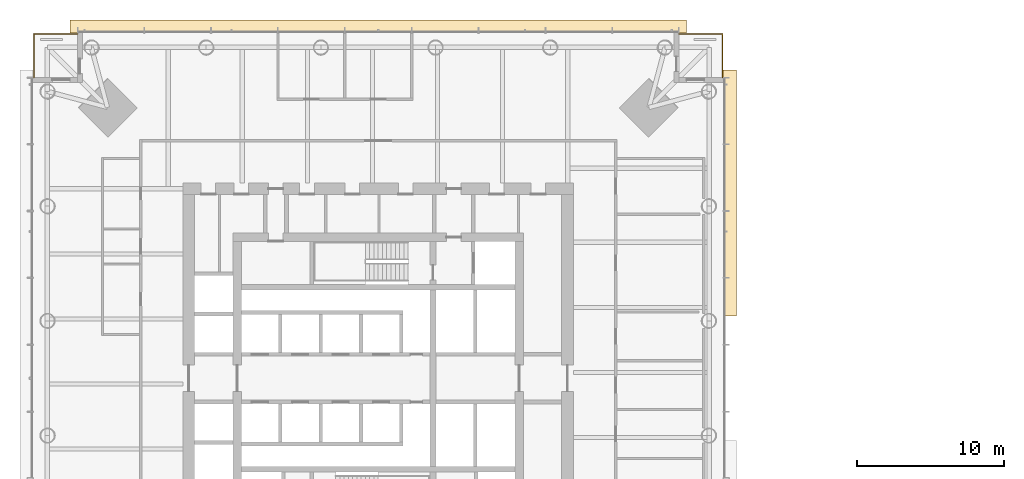
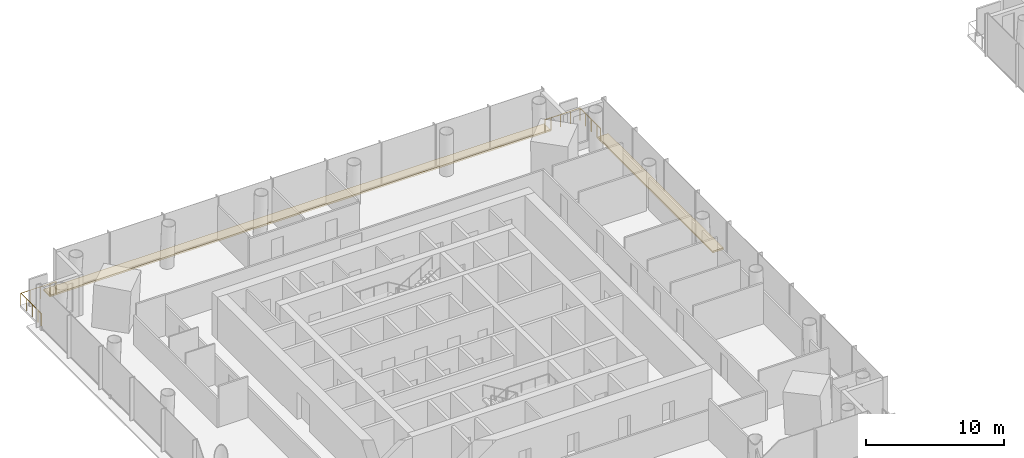
# One storey, part 25 of 26: 6 railings, 2 coverings.
"""IFC4 building model written with IfcOpenShell, lengths in metres."""

from ifc_helpers import new_model, si_unit, direction, frame, origin, origin_2d, place, context, subcontext, project, spatial, polyline, circle, outline, extrude, material, layer, layer_set, type_object, element, save


model = new_model("IFC4")

# Units and contexts
model_context = context("Model", 3, precision=1e-05, world=origin(), true_north=direction((0.0, 1.0)))
body_context = subcontext(model_context, "Body", "Model", "MODEL_VIEW")
ifc_project = project(units=[si_unit("LENGTHUNIT", "METRE"), si_unit("AREAUNIT", "SQUARE_METRE"), si_unit("VOLUMEUNIT", "CUBIC_METRE"), si_unit("PLANEANGLEUNIT", "RADIAN"), si_unit("MASSUNIT", "GRAM", prefix="KILO")], contexts=[model_context])

# Site, building, storey
site_placement = place(None, origin())
site = spatial("IfcSite", under=ifc_project, at=site_placement, CompositionType="ELEMENT")
building_placement = place(site_placement, origin())
building = spatial("IfcBuilding", under=site, at=building_placement, Name="Ostroluk Exchange", CompositionType="ELEMENT")
storey_placement = place(building_placement, frame((0.0, 0.0, 66.60009765625)))
storey = spatial("IfcBuildingStorey", under=building, at=storey_placement, Name="L16", CompositionType="ELEMENT", Elevation=66.60009765625)

# Railings
ifc_material_1 = material(Name="Stainless steel", Category="steel")
railing_type_1 = type_object("IfcRailingType", Name="Guard 1100 stainless steel", PredefinedType="GUARDRAIL", material=ifc_material_1)
railing_1_placement = place(storey_placement, frame((66.0, 69.449951171875, 0.0)))
element("IfcRailing", 1, at=railing_1_placement, inside=storey, type_object=railing_type_1, Name="Office tower NE balcony guard L16", PredefinedType="GUARDRAIL", context=body_context, shape_type="SweptSolid", body=[
    extrude(circle(Radius=0.02392578125, at=origin_2d()), frame((0.0, 0.0, 1.076171875), z_axis=(1.0, 0.0, 0.0), x_axis=(0.0, 1.0, 0.0)), (0.0, 0.0, 1.0), 2.449951171875),
    extrude(circle(Radius=0.02392578125, at=origin_2d()), frame((2.449951171875, 0.0, 1.076171875), z_axis=(0.0, -1.0, 0.0), x_axis=(1.0, 0.0, 0.0)), (0.0, 0.0, 1.0), 2.449951171875),
    extrude(circle(Radius=0.02099609375, at=origin_2d()), origin(), (0.0, 0.0, 1.0), 1.052001953125),
    extrude(circle(Radius=0.02099609375, at=origin_2d()), frame((0.816650390625, 0.0, 0.0)), (0.0, 0.0, 1.0), 1.052001953125),
    extrude(circle(Radius=0.02099609375, at=origin_2d()), frame((1.63330078125, 0.0, 0.0)), (0.0, 0.0, 1.0), 1.052001953125),
    extrude(circle(Radius=0.02099609375, at=origin_2d()), frame((2.449951171875, 0.0, 0.0)), (0.0, 0.0, 1.0), 1.052001953125),
    extrude(circle(Radius=0.02099609375, at=origin_2d()), frame((2.449951171875, -0.816650390625, 0.0)), (0.0, 0.0, 1.0), 1.052001953125),
    extrude(circle(Radius=0.02099609375, at=origin_2d()), frame((2.449951171875, -1.63330078125, 0.0)), (0.0, 0.0, 1.0), 1.052001953125),
    extrude(circle(Radius=0.02099609375, at=origin_2d()), frame((2.449951171875, -2.449951171875, 0.0)), (0.0, 0.0, 1.0), 1.052001953125),
])
railing_2_placement = place(storey_placement, frame((24.0, 69.449951171875, 0.0)))
element("IfcRailing", 2, at=railing_2_placement, inside=storey, type_object=railing_type_1, Name="Office tower NW balcony guard L16", PredefinedType="GUARDRAIL", context=body_context, shape_type="SweptSolid", body=[
    extrude(circle(Radius=0.02392578125, at=origin_2d()), frame((0.0, 0.0, 1.076171875), z_axis=(-1.0, 0.0, 0.0), x_axis=(0.0, -1.0, 0.0)), (0.0, 0.0, 1.0), 2.449951171875),
    extrude(circle(Radius=0.02392578125, at=origin_2d()), frame((-2.449951171875, 0.0, 1.076171875), z_axis=(0.0, -1.0, 0.0), x_axis=(1.0, 0.0, 0.0)), (0.0, 0.0, 1.0), 2.449951171875),
    extrude(circle(Radius=0.02099609375, at=origin_2d()), origin(), (0.0, 0.0, 1.0), 1.052001953125),
    extrude(circle(Radius=0.02099609375, at=origin_2d()), frame((-0.816650390625, 0.0, 0.0)), (0.0, 0.0, 1.0), 1.052001953125),
    extrude(circle(Radius=0.02099609375, at=origin_2d()), frame((-1.63330078125, 0.0, 0.0)), (0.0, 0.0, 1.0), 1.052001953125),
    extrude(circle(Radius=0.02099609375, at=origin_2d()), frame((-2.449951171875, 0.0, 0.0)), (0.0, 0.0, 1.0), 1.052001953125),
    extrude(circle(Radius=0.02099609375, at=origin_2d()), frame((-2.449951171875, -0.816650390625, 0.0)), (0.0, 0.0, 1.0), 1.052001953125),
    extrude(circle(Radius=0.02099609375, at=origin_2d()), frame((-2.449951171875, -1.63330078125, 0.0)), (0.0, 0.0, 1.0), 1.052001953125),
    extrude(circle(Radius=0.02099609375, at=origin_2d()), frame((-2.449951171875, -2.449951171875, 0.0)), (0.0, 0.0, 1.0), 1.052001953125),
])
ifc_material_2 = material(Name="Stainless steel", Category="steel")
railing_type_2 = type_object("IfcRailingType", Name="Lockable maintenance gate 1100", PredefinedType="GUARDRAIL", material=ifc_material_2)
railing_3_placement = place(storey_placement, frame((65.5, 69.449951171875, 0.0)))
element("IfcRailing", 3, at=railing_3_placement, inside=storey, type_object=railing_type_2, Name="Lockable maintenance gate T1 L16 NE", PredefinedType="GUARDRAIL", context=body_context, shape_type="SweptSolid", body=[
    extrude(circle(Radius=0.02392578125, at=origin_2d()), frame((0.0, 0.0, 1.076171875), z_axis=(1.0, 0.0, 0.0), x_axis=(0.0, 1.0, 0.0)), (0.0, 0.0, 1.0), 0.5),
    extrude(circle(Radius=0.02099609375, at=origin_2d()), origin(), (0.0, 0.0, 1.0), 1.052001953125),
    extrude(circle(Radius=0.02099609375, at=origin_2d()), frame((0.5, 0.0, 0.0)), (0.0, 0.0, 1.0), 1.052001953125),
])
railing_4_placement = place(storey_placement, frame((68.449951171875, 67.0, 0.0)))
element("IfcRailing", 4, at=railing_4_placement, inside=storey, type_object=railing_type_2, Name="Lockable maintenance gate T1 L16 NE", PredefinedType="GUARDRAIL", context=body_context, shape_type="SweptSolid", body=[
    extrude(circle(Radius=0.02392578125, at=origin_2d()), frame((0.0, 0.0, 1.076171875), z_axis=(0.0, -1.0, 0.0), x_axis=(1.0, 0.0, 0.0)), (0.0, 0.0, 1.0), 0.5),
    extrude(circle(Radius=0.02099609375, at=origin_2d()), origin(), (0.0, 0.0, 1.0), 1.052001953125),
    extrude(circle(Radius=0.02099609375, at=origin_2d()), frame((0.0, -0.5, 0.0)), (0.0, 0.0, 1.0), 1.052001953125),
])
railing_5_placement = place(storey_placement, frame((24.5, 69.449951171875, 0.0)))
element("IfcRailing", 5, at=railing_5_placement, inside=storey, type_object=railing_type_2, Name="Lockable maintenance gate T1 L16 NW", PredefinedType="GUARDRAIL", context=body_context, shape_type="SweptSolid", body=[
    extrude(circle(Radius=0.02392578125, at=origin_2d()), frame((0.0, 0.0, 1.076171875), z_axis=(-1.0, 0.0, 0.0), x_axis=(0.0, -1.0, 0.0)), (0.0, 0.0, 1.0), 0.5),
    extrude(circle(Radius=0.02099609375, at=origin_2d()), origin(), (0.0, 0.0, 1.0), 1.052001953125),
    extrude(circle(Radius=0.02099609375, at=origin_2d()), frame((-0.5, 0.0, 0.0)), (0.0, 0.0, 1.0), 1.052001953125),
])
railing_6_placement = place(storey_placement, frame((21.550048828125, 67.0, 0.0)))
element("IfcRailing", 6, at=railing_6_placement, inside=storey, type_object=railing_type_2, Name="Lockable maintenance gate T1 L16 NW", PredefinedType="GUARDRAIL", context=body_context, shape_type="SweptSolid", body=[
    extrude(circle(Radius=0.02392578125, at=origin_2d()), frame((0.0, 0.0, 1.076171875), z_axis=(0.0, -1.0, 0.0), x_axis=(1.0, 0.0, 0.0)), (0.0, 0.0, 1.0), 0.5),
    extrude(circle(Radius=0.02099609375, at=origin_2d()), origin(), (0.0, 0.0, 1.0), 1.052001953125),
    extrude(circle(Radius=0.02099609375, at=origin_2d()), frame((0.0, -0.5, 0.0)), (0.0, 0.0, 1.0), 1.052001953125),
])

# Coverings
ifc_material_3 = material(Name="Insulated steel roof deck with membrane, laid to falls, aluminium coping", Category="steel")
ifc_layer = layer(ifc_material_3, 0.14990234375)
ifc_layer_set = layer_set([ifc_layer], Name="Setback maintenance roof")
covering_type = type_object("IfcCoveringType", Name="Setback maintenance roof", PredefinedType="ROOFING", material=ifc_layer_set)
covering_1_placement = place(storey_placement, frame((0.0, 0.0, -0.150146484375)))
element("IfcCovering", 7, at=covering_1_placement, inside=storey, type_object=covering_type, Name="Maintenance roof, setback L16 east", PredefinedType="ROOFING", context=body_context, shape_type="SweptSolid", body=[
    extrude(outline(polyline([(68.5, 67.0), (69.39990234375, 67.0), (69.39990234375, 50.25), (68.5, 50.25), (68.5, 67.0)])), origin(), (0.0, 0.0, 1.0), 0.150146484375),
])
covering_2_placement = place(storey_placement, frame((0.0, 0.0, -0.150146484375)))
element("IfcCovering", 8, at=covering_2_placement, inside=storey, type_object=covering_type, Name="Maintenance roof, setback L16 north", PredefinedType="ROOFING", context=body_context, shape_type="SweptSolid", body=[
    extrude(outline(polyline([(24.0, 70.39990234375), (66.0, 70.39990234375), (66.0, 69.5), (24.0, 69.5), (24.0, 70.39990234375)])), origin(), (0.0, 0.0, 1.0), 0.150146484375),
])

save(model, "model.ifc")
